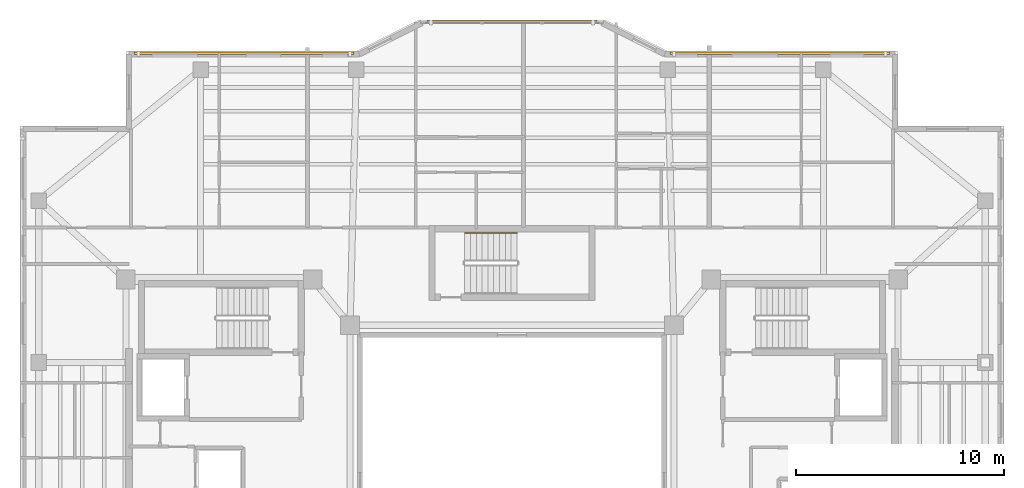
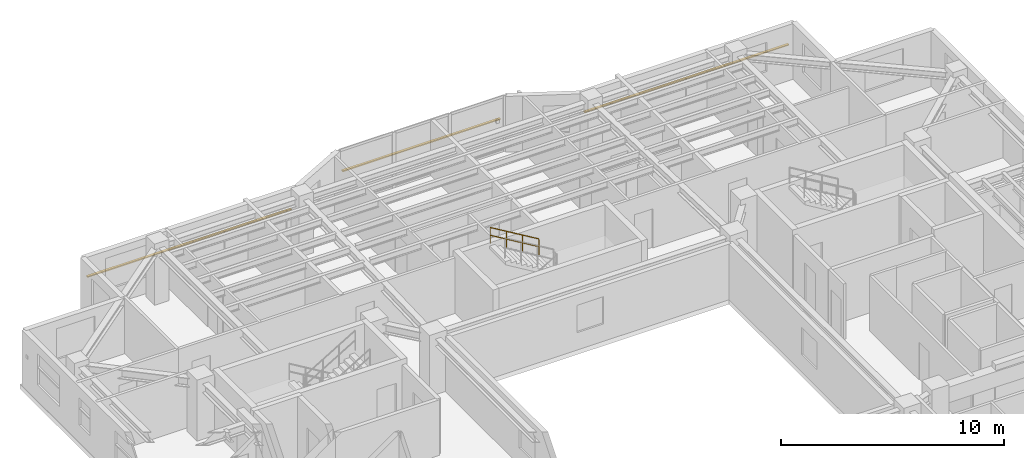
# One storey, part 13 of 13: 3 shading devices, 1 railing.
"""IFC4 building model written with IfcOpenShell, lengths in metres."""

from ifc_helpers import new_model, si_unit, direction, frame, origin, origin_2d, place, context, subcontext, project, spatial, rectangle, circle, extrude, material, material_profile, profile_set, type_object, element, save


model = new_model("IFC4")

# Units and contexts
model_context = context("Model", 3, precision=1e-05, world=origin(), true_north=direction((0.0, 1.0)))
body_context = subcontext(model_context, "Body", "Model", "MODEL_VIEW")
ifc_project = project(units=[si_unit("LENGTHUNIT", "METRE"), si_unit("AREAUNIT", "SQUARE_METRE"), si_unit("VOLUMEUNIT", "CUBIC_METRE"), si_unit("PLANEANGLEUNIT", "RADIAN"), si_unit("MASSUNIT", "GRAM", prefix="KILO")], contexts=[model_context])

# Site, building, storey
site_placement = place(None, origin())
site = spatial("IfcSite", under=ifc_project, at=site_placement, CompositionType="ELEMENT")
building_placement = place(site_placement, origin())
building = spatial("IfcBuilding", under=site, at=building_placement, Name="Tarnavaz Court Tower", CompositionType="ELEMENT")
storey_placement = place(building_placement, frame((0.0, 0.0, 223.75)))
storey = spatial("IfcBuildingStorey", under=building, at=storey_placement, Name="L61", CompositionType="ELEMENT", Elevation=223.75)

# Railing
ifc_material_1 = material(Name="Brushed Stainless Steel", Category="steel")
railing_type = type_object("IfcRailingType", Name="RL-HANDRAIL-900", PredefinedType="HANDRAIL", material=ifc_material_1)
railing_placement = place(storey_placement, frame((0.239990234375, 12.239990234375, 1.842529296875)))
element("IfcRailing", 1, at=railing_placement, inside=storey, type_object=railing_type, Name="L61 ST-N1 stair handrail 2", PredefinedType="HANDRAIL", context=body_context, shape_type="SweptSolid", body=[
    extrude(circle(Radius=0.02392578125, at=origin_2d()), frame((0.0, 0.0, 0.8759765625), z_axis=(-0.858159760407, 0.0, 0.513382728203), x_axis=(0.0, -1.0, 0.0)), (0.0, 0.0, 1.0), 2.9365234375),
    extrude(circle(Radius=0.02392578125, at=origin_2d()), frame((0.0, 0.0, 0.449951171875), z_axis=(-0.858159760407, 0.0, 0.513382728203), x_axis=(0.0, -1.0, 0.0)), (0.0, 0.0, 1.0), 2.9365234375),
    extrude(circle(Radius=0.02099609375, at=origin_2d()), origin(), (0.0, 0.0, 1.0), 0.851806640625),
    extrude(circle(Radius=0.02099609375, at=origin_2d()), frame((-0.840087890625, 0.0, 0.50244140625)), (0.0, 0.0, 1.0), 0.851806640625),
    extrude(circle(Radius=0.02099609375, at=origin_2d()), frame((-1.679931640625, 0.0, 1.005126953125)), (0.0, 0.0, 1.0), 0.851806640625),
    extrude(circle(Radius=0.02099609375, at=origin_2d()), frame((-2.52001953125, 0.0, 1.507568359375)), (0.0, 0.0, 1.0), 0.851806640625),
])

# Shading devices
ifc_material_2 = material(Name="Kiln-Fired Khorasan Terracotta Ceramic", Category="masonry")
ifc_material_profile = material_profile(ifc_material_2, rectangle(XDim=0.1201171875, YDim=0.06005859375, at=origin_2d()), Name="TC BAGUETTE 120X60")
ifc_profile_set = profile_set([ifc_material_profile], Name="Kiln-Fired Khorasan Terracotta Ceramic")
shading_device_type = type_object("IfcShadingDeviceType", Name="SD-BAG-120", PredefinedType="USERDEFINED", material=ifc_profile_set)
shading_device_1_placement = place(storey_placement, frame((-18.199951171875, 20.909912109375, 1.85009765625), z_axis=(1.0, 0.0, 0.0), x_axis=(0.0, 1.0, 0.0)))
element("IfcShadingDevice", 2, at=shading_device_1_placement, inside=storey, type_object=shading_device_type, Name="L61 Terracotta Baguette Screen FBG05", ObjectType="BAGUETTE", PredefinedType="USERDEFINED", context=body_context, shape_type="SweptSolid", body=[
    extrude(rectangle(XDim=0.1201171875, YDim=0.06005859375, at=origin_2d()), origin(), (0.0, 0.0, 1.0), 10.599853515625),
])
shading_device_2_placement = place(storey_placement, frame((-4.10009765625, 22.409912109375, 1.800048828125), z_axis=(1.0, 0.0, 0.0), x_axis=(0.0, 1.0, 0.0)))
element("IfcShadingDevice", 3, at=shading_device_2_placement, inside=storey, type_object=shading_device_type, Name="L61 Terracotta Baguette Screen PBG7", ObjectType="BAGUETTE", PredefinedType="USERDEFINED", context=body_context, shape_type="SweptSolid", body=[
    extrude(rectangle(XDim=0.1201171875, YDim=0.06005859375, at=origin_2d()), origin(), (0.0, 0.0, 1.0), 8.2001953125),
])
shading_device_3_placement = place(storey_placement, frame((7.60009765625, 20.909912109375, 1.85009765625), z_axis=(1.0, 0.0, 0.0), x_axis=(0.0, 1.0, 0.0)))
element("IfcShadingDevice", 4, at=shading_device_3_placement, inside=storey, type_object=shading_device_type, Name="L61 Terracotta Baguette Screen FBG09", ObjectType="BAGUETTE", PredefinedType="USERDEFINED", context=body_context, shape_type="SweptSolid", body=[
    extrude(rectangle(XDim=0.1201171875, YDim=0.06005859375, at=origin_2d()), origin(), (0.0, 0.0, 1.0), 10.599853515625),
])

save(model, "model.ifc")
